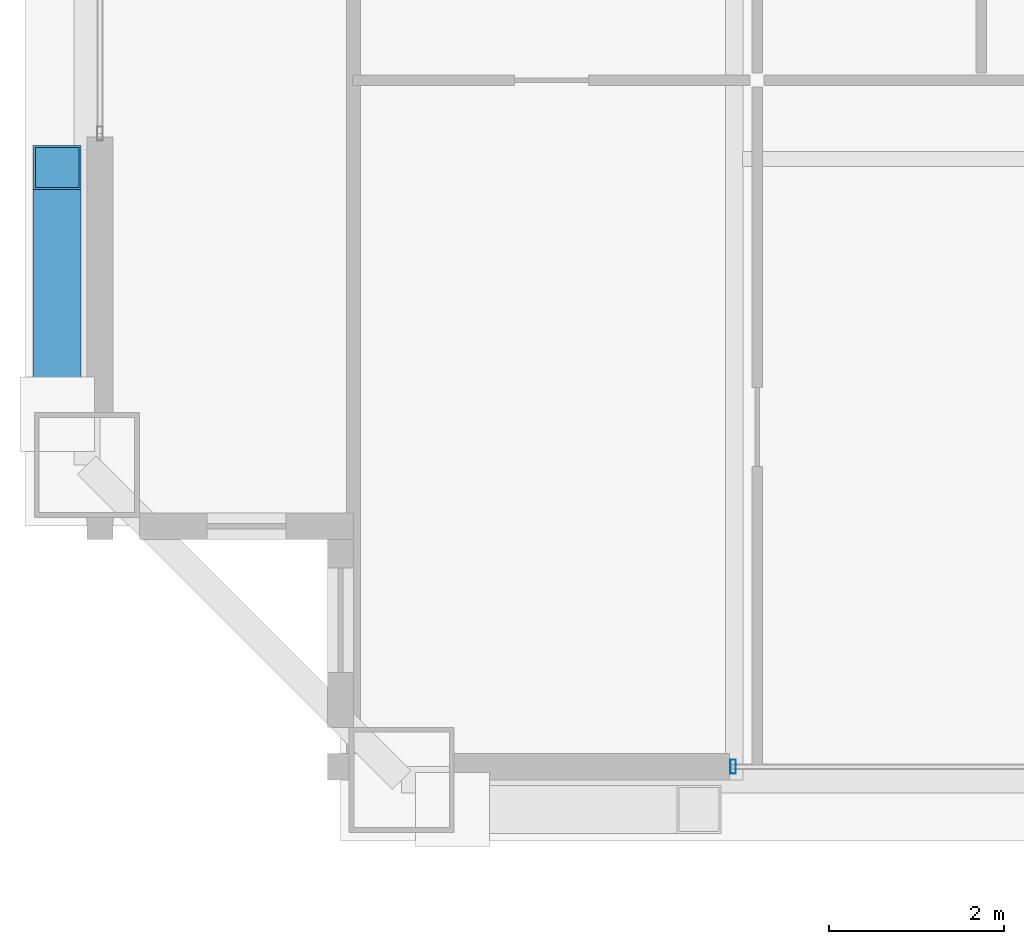
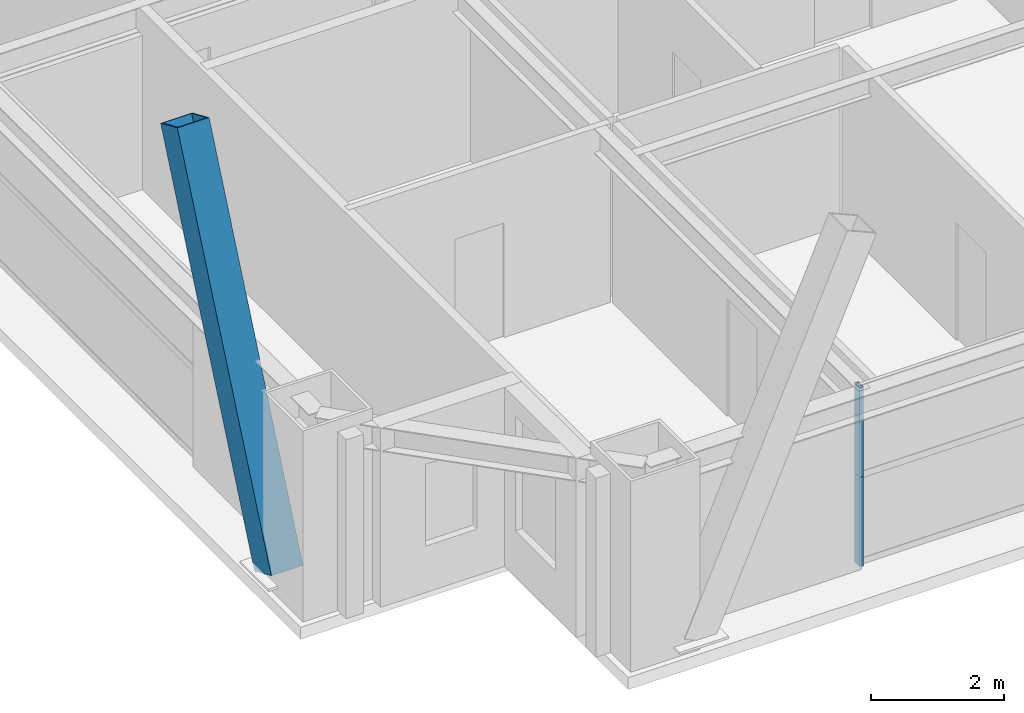
# One storey, part 3 of 35: 3 members, 1 element without a shape of its own.
"""IFC4 building model written with IfcOpenShell, lengths in metres."""

from ifc_helpers import new_model, si_unit, direction, frame, origin, origin_2d, place, context, subcontext, project, spatial, hollow_rectangle, extrude, source, transform, mapped, material, layer, layer_set, material_profile, profile_set, type_object, element, aggregate, save


model = new_model("IFC4")

# Units and contexts
model_context = context("Model", 3, precision=1e-05, world=origin(), true_north=direction((0.0, 1.0)))
body_context = subcontext(model_context, "Body", "Model", "MODEL_VIEW")
ifc_project = project(units=[si_unit("LENGTHUNIT", "METRE"), si_unit("AREAUNIT", "SQUARE_METRE"), si_unit("VOLUMEUNIT", "CUBIC_METRE"), si_unit("PLANEANGLEUNIT", "RADIAN"), si_unit("MASSUNIT", "GRAM", prefix="KILO"), si_unit("THERMODYNAMICTEMPERATUREUNIT", "KELVIN"), si_unit("POWERUNIT", "WATT")], contexts=[model_context])

# Site, building, storey
site_placement = place(None, origin())
site = spatial("IfcSite", under=ifc_project, at=site_placement, CompositionType="ELEMENT")
building_placement = place(site_placement, origin())
building = spatial("IfcBuilding", under=site, at=building_placement, Name="Yuzanri Waterfront Tower", CompositionType="ELEMENT")
storey_placement = place(building_placement, frame((0.0, 0.0, 227.60009765625)))
storey = spatial("IfcBuildingStorey", under=building, at=storey_placement, Name="L60", CompositionType="ELEMENT", Elevation=227.60009765625)

# Member
ifc_material_1 = material(Name="Steel Q390GJC", Category="steel")
ifc_material_profile_1 = material_profile(ifc_material_1, hollow_rectangle(XDim=0.550048828125, YDim=0.550048828125, WallThickness=0.02490234375, at=origin_2d()), Name="RHS 550x550x25")
ifc_profile_set_1 = profile_set([ifc_material_profile_1], Name="Steel Q390GJC")
member_type_1 = type_object("IfcMemberType", Name="Mega Brace Mid Q390GJC RHS 550x550x25", PredefinedType="BRACE", material=ifc_profile_set_1)
shared_shape_1 = source(origin(), body_context, "Body", "SweptSolid", [
    extrude(hollow_rectangle(XDim=0.550048828125, YDim=0.550048828125, WallThickness=0.02490234375, at=origin_2d()), origin(), (0.0, 0.0, 1.0), 7.08544921875),
])
member_1_placement = place(storey_placement, frame((16.06005859375, 9.3798828125, 0.179931640625), z_axis=(0.0, 0.398011598745, 0.917380383082), x_axis=(-1.0, 0.0, 0.0)))
element("IfcMember", 1, at=member_1_placement, inside=storey, type_object=member_type_1, Name="L60-L61 Perimeter Mega-Brace W-L", PredefinedType="BRACE", context=body_context, shape_type="MappedRepresentation", body=[
    mapped(shared_shape_1, transform((0.0, 0.0, 0.0), scale=1.0)),
])

# Curtain wall, members
ifc_material_2 = material(Name="Anodized Architectural Bronze", Category="metal")
ifc_layer = layer(ifc_material_2, 0.159912109375)
ifc_layer_set = layer_set([ifc_layer], Name="Anodized Architectural Bronze")
curtain_wall_type = type_object("IfcCurtainWallType", Name="Anodized Bronze Mid-Rise Residential Acoustic Unitized Curtain Wall 7200", PredefinedType="NOTDEFINED", material=ifc_layer_set)
curtain_wall_placement = place(storey_placement, origin())
curtain_wall = element("IfcCurtainWall", 2, at=curtain_wall_placement, inside=storey, type_object=curtain_wall_type, Name="L60 Curtain Wall CW-L60-SL", PredefinedType="NOTDEFINED")
ifc_material_3 = material(Name="Anodized Architectural Bronze", Category="metal")
ifc_material_profile_2 = material_profile(ifc_material_3, hollow_rectangle(XDim=0.06494140625, YDim=0.159912109375, WallThickness=0.00341796875, at=origin_2d()), Name="CWM 65x160")
ifc_profile_set_2 = profile_set([ifc_material_profile_2], Name="Anodized Architectural Bronze")
member_type_2 = type_object("IfcMemberType", Name="Anodized Bronze Upper-Zone Curtain-Wall Mullion 65x160", PredefinedType="MULLION", material=ifc_profile_set_2)
shared_shape_2 = source(origin(), body_context, "Body", "SweptSolid", [
    extrude(hollow_rectangle(XDim=0.06494140625, YDim=0.159912109375, WallThickness=0.00341796875, at=origin_2d()), origin(), (0.0, 0.0, 1.0), 1.637939453125),
])
member_2_placement = place(storey_placement, frame((23.7900390625, 5.35009765625, 0.0), z_axis=(0.0, 0.0, 1.0), x_axis=(1.0, 0.0, 0.0)))
member_2 = element("IfcMember", 3, at=member_2_placement, type_object=member_type_2, Name="CW-L60-SL Lower Mullion 00", PredefinedType="MULLION", context=body_context, shape_type="MappedRepresentation", body=[
    mapped(shared_shape_2, transform((0.0, 0.0, 0.0), scale=1.0)),
])
member_3_placement = place(storey_placement, frame((23.7900390625, 5.35009765625, 1.641845703125), z_axis=(0.0, 0.0, 1.0), x_axis=(1.0, 0.0, 0.0)))
member_3 = element("IfcMember", 4, at=member_3_placement, type_object=member_type_2, Name="CW-L60-SL Upper Mullion 00", PredefinedType="MULLION", context=body_context, shape_type="MappedRepresentation", body=[
    mapped(shared_shape_2, transform((0.0, 0.0, 0.0), scale=1.0)),
])
aggregate(curtain_wall, [member_2, member_3])

save(model, "model.ifc")
